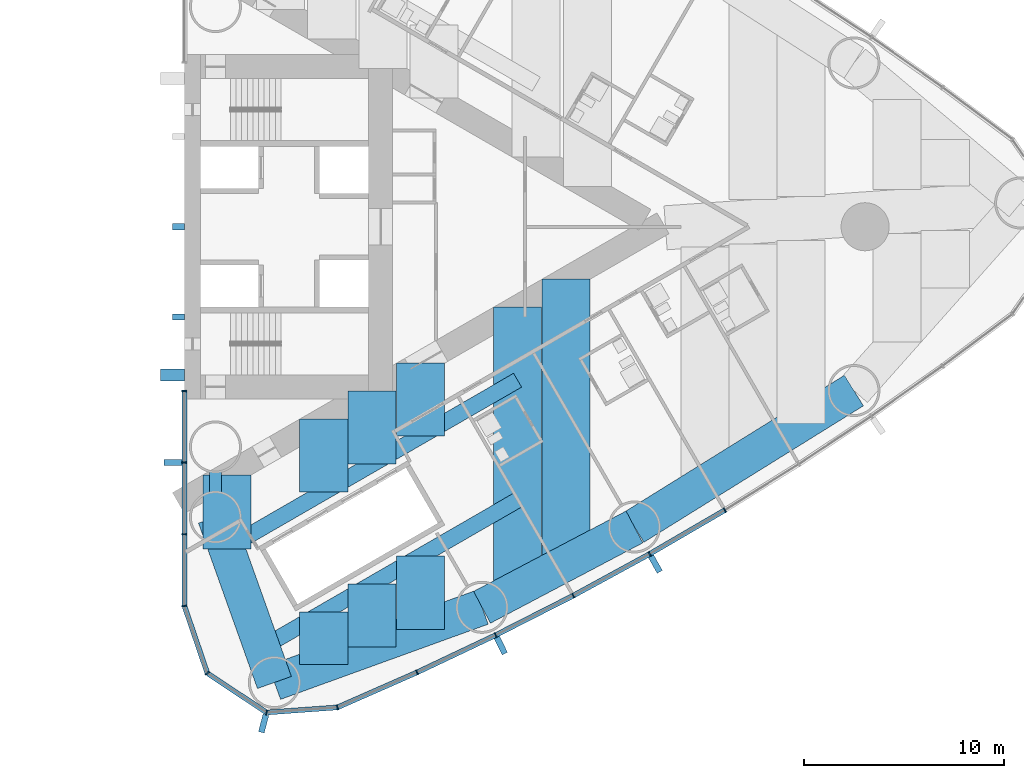
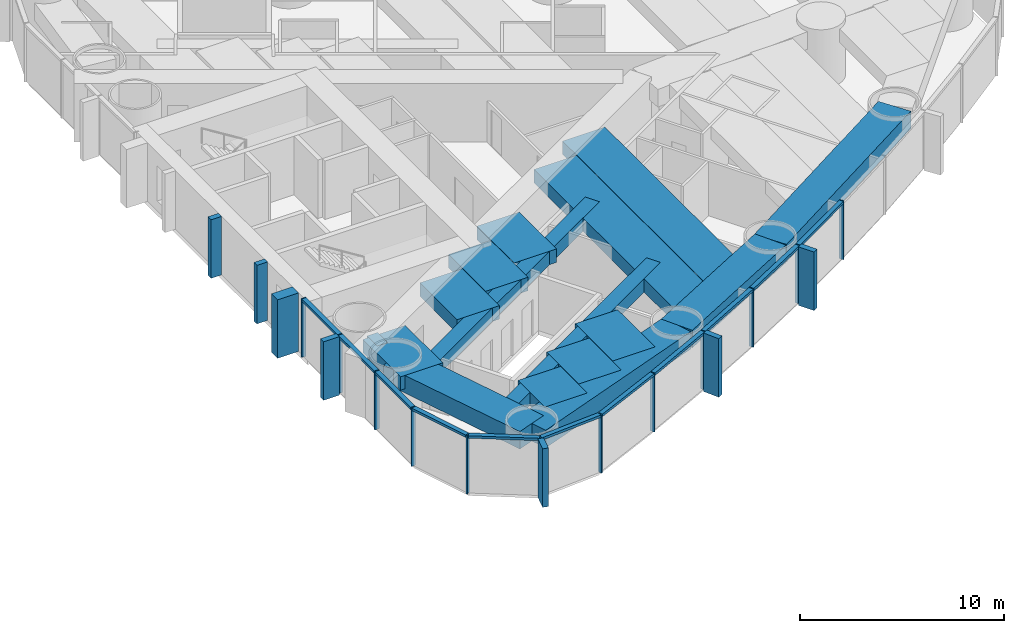
# One storey, part 6 of 18: 30 members, 16 beams, 1 element without a shape of its own.
"""IFC4 building model written with IfcOpenShell, lengths in metres."""

from ifc_helpers import new_model, si_unit, direction, frame, origin, origin_2d, place, context, subcontext, project, spatial, rectangle, hollow_rectangle, extrude, material, material_profile, profile_set, type_object, element, aggregate, save


model = new_model("IFC4")

# Units and contexts
model_context = context("Model", 3, precision=1e-05, world=origin(), true_north=direction((0.0, 1.0)))
body_context = subcontext(model_context, "Body", "Model", "MODEL_VIEW")
ifc_project = project(units=[si_unit("LENGTHUNIT", "METRE"), si_unit("AREAUNIT", "SQUARE_METRE"), si_unit("VOLUMEUNIT", "CUBIC_METRE"), si_unit("PLANEANGLEUNIT", "RADIAN"), si_unit("MASSUNIT", "GRAM", prefix="KILO")], contexts=[model_context])

# Site, building, storey
site_placement = place(None, origin())
site = spatial("IfcSite", under=ifc_project, at=site_placement, CompositionType="ELEMENT")
building_placement = place(site_placement, origin())
building = spatial("IfcBuilding", under=site, at=building_placement, Name="Lancet Gate Hotel", CompositionType="ELEMENT")
storey_placement = place(building_placement, frame((0.0, 0.0, 97.60009765625)))
storey = spatial("IfcBuildingStorey", under=building, at=storey_placement, Name="L25", CompositionType="ELEMENT", Elevation=97.60009765625)

# Curtain wall, members
ifc_material_1 = material(Name="Aluminium curtain wall", Category="aluminium")
curtain_wall_type = type_object("IfcCurtainWallType", Name="Tower unitised curtain wall", PredefinedType="USERDEFINED", material=ifc_material_1)
curtain_wall_placement = place(storey_placement, origin())
curtain_wall = element("IfcCurtainWall", 1, at=curtain_wall_placement, inside=storey, type_object=curtain_wall_type, Name="T2 L25 curtain wall 1", ObjectType="UNITISED CURTAIN WALL", PredefinedType="USERDEFINED")
ifc_material_2 = material(Name="Aluminium mullion", Category="aluminium")
ifc_material_profile_1 = material_profile(ifc_material_2, rectangle(XDim=0.06494140625, YDim=0.25, at=origin_2d()), Name="MULLION 65x250")
ifc_profile_set_1 = profile_set([ifc_material_profile_1], Name="Aluminium mullion")
member_type_1 = type_object("IfcMemberType", Name="Aluminium mullion 65x250", PredefinedType="MULLION", material=ifc_profile_set_1)
member_1_placement = place(storey_placement, frame((27.5, -8.199951171875, 0.0), z_axis=(0.0, 0.0, 1.0), x_axis=(0.0, -1.0, 0.0)))
member_1 = element("IfcMember", 2, at=member_1_placement, type_object=member_type_1, Name="T2 L25 curtain wall 1 mullion 1", PredefinedType="MULLION", context=body_context, shape_type="SweptSolid", body=[
    extrude(rectangle(XDim=0.06494140625, YDim=0.25, at=origin_2d()), origin(), (0.0, 0.0, 1.0), 3.5),
])
member_2_placement = place(storey_placement, frame((27.5, -11.781005859375, 0.0), z_axis=(0.0, 0.0, 1.0), x_axis=(0.0, -1.0, 0.0)))
member_2 = element("IfcMember", 3, at=member_2_placement, type_object=member_type_1, Name="T2 L25 curtain wall 1 mullion 2", PredefinedType="MULLION", context=body_context, shape_type="SweptSolid", body=[
    extrude(rectangle(XDim=0.06494140625, YDim=0.25, at=origin_2d()), origin(), (0.0, 0.0, 1.0), 3.5),
])
member_3_placement = place(storey_placement, frame((27.5, -15.362060546875, 0.0), z_axis=(0.0, 0.0, 1.0), x_axis=(0.0, -1.0, 0.0)))
member_3 = element("IfcMember", 4, at=member_3_placement, type_object=member_type_1, Name="T2 L25 curtain wall 1 mullion 3", PredefinedType="MULLION", context=body_context, shape_type="SweptSolid", body=[
    extrude(rectangle(XDim=0.06494140625, YDim=0.25, at=origin_2d()), origin(), (0.0, 0.0, 1.0), 3.5),
])
member_4_placement = place(storey_placement, frame((27.5, -18.94287109375, 0.0), z_axis=(0.0, 0.0, 1.0), x_axis=(0.162738742557, -0.986669195663, 0.0)))
member_4 = element("IfcMember", 5, at=member_4_placement, type_object=member_type_1, Name="T2 L25 curtain wall 1 mullion 4", PredefinedType="MULLION", context=body_context, shape_type="SweptSolid", body=[
    extrude(rectangle(XDim=0.06494140625, YDim=0.25, at=origin_2d()), origin(), (0.0, 0.0, 1.0), 3.5),
])
member_5_placement = place(storey_placement, frame((28.64453125, -22.301513671875, 0.0), z_axis=(0.0, 0.0, 1.0), x_axis=(0.610663954798, -0.79188984986, 0.0)))
member_5 = element("IfcMember", 6, at=member_5_placement, type_object=member_type_1, Name="T2 L25 curtain wall 1 mullion 5", PredefinedType="MULLION", context=body_context, shape_type="SweptSolid", body=[
    extrude(rectangle(XDim=0.06494140625, YDim=0.25, at=origin_2d()), origin(), (0.0, 0.0, 1.0), 3.5),
])
member_6_placement = place(storey_placement, frame((31.60205078125, -24.26220703125, 0.0), z_axis=(0.0, 0.0, 1.0), x_axis=(0.967157174963, -0.254179068604, 0.0)))
member_6 = element("IfcMember", 7, at=member_6_placement, type_object=member_type_1, Name="T2 L25 curtain wall 1 mullion 6", PredefinedType="MULLION", context=body_context, shape_type="SweptSolid", body=[
    extrude(rectangle(XDim=0.06494140625, YDim=0.25, at=origin_2d()), origin(), (0.0, 0.0, 1.0), 3.5),
])
member_7_placement = place(storey_placement, frame((35.141357421875, -24.009033203125, 0.0), z_axis=(0.0, 0.0, 1.0), x_axis=(0.966317378791, 0.257353304711, 0.0)))
member_7 = element("IfcMember", 8, at=member_7_placement, type_object=member_type_1, Name="T2 L25 curtain wall 1 mullion 7", PredefinedType="MULLION", context=body_context, shape_type="SweptSolid", body=[
    extrude(rectangle(XDim=0.06494140625, YDim=0.25, at=origin_2d()), origin(), (0.0, 0.0, 1.0), 3.5),
])
member_8_placement = place(storey_placement, frame((39.12109375, -22.259765625, 0.0), z_axis=(0.0, 0.0, 1.0), x_axis=(0.909672766767, 0.415325724465, 0.0)))
member_8 = element("IfcMember", 9, at=member_8_placement, type_object=member_type_1, Name="T2 L25 curtain wall 1 mullion 8", PredefinedType="MULLION", context=body_context, shape_type="SweptSolid", body=[
    extrude(rectangle(XDim=0.06494140625, YDim=0.25, at=origin_2d()), origin(), (0.0, 0.0, 1.0), 3.5),
])
member_9_placement = place(storey_placement, frame((43.0498046875, -20.398193359375, 0.0), z_axis=(0.0, 0.0, 1.0), x_axis=(0.897511886496, 0.440990264743, 0.0)))
member_9 = element("IfcMember", 10, at=member_9_placement, type_object=member_type_1, Name="T2 L25 curtain wall 1 mullion 9", PredefinedType="MULLION", context=body_context, shape_type="SweptSolid", body=[
    extrude(rectangle(XDim=0.06494140625, YDim=0.25, at=origin_2d()), origin(), (0.0, 0.0, 1.0), 3.5),
])
member_10_placement = place(storey_placement, frame((46.923828125, -18.426025390625, 0.0), z_axis=(0.0, 0.0, 1.0), x_axis=(0.884627112962, 0.466299121822, 0.0)))
member_10 = element("IfcMember", 11, at=member_10_placement, type_object=member_type_1, Name="T2 L25 curtain wall 1 mullion 10", PredefinedType="MULLION", context=body_context, shape_type="SweptSolid", body=[
    extrude(rectangle(XDim=0.06494140625, YDim=0.25, at=origin_2d()), origin(), (0.0, 0.0, 1.0), 3.5),
])
member_11_placement = place(storey_placement, frame((50.740478515625, -16.344482421875, 0.0), z_axis=(0.0, 0.0, 1.0), x_axis=(0.871028838445, 0.491231882716, 0.0)))
member_11 = element("IfcMember", 12, at=member_11_placement, type_object=member_type_1, Name="T2 L25 curtain wall 1 mullion 11", PredefinedType="MULLION", context=body_context, shape_type="SweptSolid", body=[
    extrude(rectangle(XDim=0.06494140625, YDim=0.25, at=origin_2d()), origin(), (0.0, 0.0, 1.0), 3.5),
])
member_12_placement = place(storey_placement, frame((54.496337890625, -14.1552734375, 0.0), z_axis=(0.0, 0.0, 1.0), x_axis=(0.856728030701, 0.515768437781, 0.0)))
member_12 = element("IfcMember", 13, at=member_12_placement, type_object=member_type_1, Name="T2 L25 curtain wall 1 mullion 12", PredefinedType="MULLION", context=body_context, shape_type="SweptSolid", body=[
    extrude(rectangle(XDim=0.06494140625, YDim=0.25, at=origin_2d()), origin(), (0.0, 0.0, 1.0), 3.5),
])
ifc_material_3 = material(Name="Aluminium transom", Category="aluminium")
ifc_material_profile_2 = material_profile(ifc_material_3, rectangle(XDim=0.25, YDim=0.14990234375, at=origin_2d()), Name="TRANSOM 250x150")
ifc_profile_set_2 = profile_set([ifc_material_profile_2], Name="Aluminium transom")
member_type_2 = type_object("IfcMemberType", Name="Aluminium transom 250x150", PredefinedType="USERDEFINED", material=ifc_profile_set_2)
member_13_placement = place(storey_placement, frame((27.5, -8.232421875, 3.4248046875), z_axis=(0.0, -1.0, 0.0), x_axis=(1.0, 0.0, 0.0)))
member_13 = element("IfcMember", 14, at=member_13_placement, type_object=member_type_2, Name="T2 L25 curtain wall 1 transom 1", ObjectType="TRANSOM", PredefinedType="USERDEFINED", context=body_context, shape_type="SweptSolid", body=[
    extrude(rectangle(XDim=0.25, YDim=0.14990234375, at=origin_2d()), origin(), (0.0, 0.0, 1.0), 3.51611328125),
])
member_14_placement = place(storey_placement, frame((27.5, -11.8134765625, 3.4248046875), z_axis=(0.0, -1.0, 0.0), x_axis=(1.0, 0.0, 0.0)))
member_14 = element("IfcMember", 15, at=member_14_placement, type_object=member_type_2, Name="T2 L25 curtain wall 1 transom 2", ObjectType="TRANSOM", PredefinedType="USERDEFINED", context=body_context, shape_type="SweptSolid", body=[
    extrude(rectangle(XDim=0.25, YDim=0.14990234375, at=origin_2d()), origin(), (0.0, 0.0, 1.0), 3.515869140625),
])
member_15_placement = place(storey_placement, frame((27.5, -15.39453125, 3.4248046875), z_axis=(0.0, -1.0, 0.0), x_axis=(1.0, 0.0, 0.0)))
member_15 = element("IfcMember", 16, at=member_15_placement, type_object=member_type_2, Name="T2 L25 curtain wall 1 transom 3", ObjectType="TRANSOM", PredefinedType="USERDEFINED", context=body_context, shape_type="SweptSolid", body=[
    extrude(rectangle(XDim=0.25, YDim=0.14990234375, at=origin_2d()), origin(), (0.0, 0.0, 1.0), 3.515869140625),
])
member_16_placement = place(storey_placement, frame((27.510498046875, -18.9736328125, 3.4248046875), z_axis=(0.322549769135, -0.946552505903, 0.0), x_axis=(0.946552505903, 0.322549769135, 0.0)))
member_16 = element("IfcMember", 17, at=member_16_placement, type_object=member_type_2, Name="T2 L25 curtain wall 1 transom 4", ObjectType="TRANSOM", PredefinedType="USERDEFINED", context=body_context, shape_type="SweptSolid", body=[
    extrude(rectangle(XDim=0.25, YDim=0.14990234375, at=origin_2d()), origin(), (0.0, 0.0, 1.0), 3.4833984375),
])
member_17_placement = place(storey_placement, frame((28.671630859375, -22.319580078125, 3.4248046875), z_axis=(0.833470854141, -0.552563421968, 0.0), x_axis=(0.552563421968, 0.833470854141, 0.0)))
member_17 = element("IfcMember", 18, at=member_17_placement, type_object=member_type_2, Name="T2 L25 curtain wall 1 transom 5", ObjectType="TRANSOM", PredefinedType="USERDEFINED", context=body_context, shape_type="SweptSolid", body=[
    extrude(rectangle(XDim=0.25, YDim=0.14990234375, at=origin_2d()), origin(), (0.0, 0.0, 1.0), 3.4833984375),
])
member_18_placement = place(storey_placement, frame((31.634521484375, -24.260009765625, 3.4248046875), z_axis=(0.997446232115, 0.071421383636, 0.0), x_axis=(-0.071421383636, 0.997446232115, 0.0)))
member_18 = element("IfcMember", 19, at=member_18_placement, type_object=member_type_2, Name="T2 L25 curtain wall 1 transom 6", ObjectType="TRANSOM", PredefinedType="USERDEFINED", context=body_context, shape_type="SweptSolid", body=[
    extrude(rectangle(XDim=0.25, YDim=0.14990234375, at=origin_2d()), origin(), (0.0, 0.0, 1.0), 3.483154296875),
])
member_19_placement = place(storey_placement, frame((35.171142578125, -23.995849609375, 3.4248046875), z_axis=(0.915484772266, 0.402352621155, 0.0), x_axis=(-0.402352621155, 0.915484772266, 0.0)))
member_19 = element("IfcMember", 20, at=member_19_placement, type_object=member_type_2, Name="T2 L25 curtain wall 1 transom 7", ObjectType="TRANSOM", PredefinedType="USERDEFINED", context=body_context, shape_type="SweptSolid", body=[
    extrude(rectangle(XDim=0.25, YDim=0.14990234375, at=origin_2d()), origin(), (0.0, 0.0, 1.0), 4.281982421875),
])
member_20_placement = place(storey_placement, frame((39.150634765625, -22.245849609375, 3.4248046875), z_axis=(0.903679787814, 0.428208875546, 0.0), x_axis=(-0.428208875546, 0.903679787814, 0.0)))
member_20 = element("IfcMember", 21, at=member_20_placement, type_object=member_type_2, Name="T2 L25 curtain wall 1 transom 8", ObjectType="TRANSOM", PredefinedType="USERDEFINED", context=body_context, shape_type="SweptSolid", body=[
    extrude(rectangle(XDim=0.25, YDim=0.14990234375, at=origin_2d()), origin(), (0.0, 0.0, 1.0), 4.282470703125),
])
member_21_placement = place(storey_placement, frame((43.07861328125, -20.383544921875, 3.4248046875), z_axis=(0.891165630033, 0.453678101574, 0.0), x_axis=(-0.453678101574, 0.891165630033, 0.0)))
member_21 = element("IfcMember", 22, at=member_21_placement, type_object=member_type_2, Name="T2 L25 curtain wall 1 transom 9", ObjectType="TRANSOM", PredefinedType="USERDEFINED", context=body_context, shape_type="SweptSolid", body=[
    extrude(rectangle(XDim=0.25, YDim=0.14990234375, at=origin_2d()), origin(), (0.0, 0.0, 1.0), 4.282470703125),
])
member_22_placement = place(storey_placement, frame((46.952392578125, -18.410400390625, 3.4248046875), z_axis=(0.877906466435, 0.478832158685, 0.0), x_axis=(-0.478832158685, 0.877906466435, 0.0)))
member_22 = element("IfcMember", 23, at=member_22_placement, type_object=member_type_2, Name="T2 L25 curtain wall 1 transom 10", ObjectType="TRANSOM", PredefinedType="USERDEFINED", context=body_context, shape_type="SweptSolid", body=[
    extrude(rectangle(XDim=0.25, YDim=0.14990234375, at=origin_2d()), origin(), (0.0, 0.0, 1.0), 4.282470703125),
])
member_23_placement = place(storey_placement, frame((50.7685546875, -16.327880859375, 3.4248046875), z_axis=(0.863973212152, 0.503537772847, 0.0), x_axis=(-0.503537772847, 0.863973212152, 0.0)))
member_23 = element("IfcMember", 24, at=member_23_placement, type_object=member_type_2, Name="T2 L25 curtain wall 1 transom 11", ObjectType="TRANSOM", PredefinedType="USERDEFINED", context=body_context, shape_type="SweptSolid", body=[
    extrude(rectangle(XDim=0.25, YDim=0.14990234375, at=origin_2d()), origin(), (0.0, 0.0, 1.0), 4.2822265625),
])

# Beams
ifc_material_4 = material(Name="Concrete C50/60", Category="concrete")
ifc_material_profile_3 = material_profile(ifc_material_4, rectangle(XDim=1.800048828125, YDim=1.050048828125, at=origin_2d()), Name="RC 1800x1050")
ifc_profile_set_3 = profile_set([ifc_material_profile_3], Name="Concrete C50/60")
beam_type_1 = type_object("IfcBeamType", Name="Edge beam RC 1800x1050", PredefinedType="SPANDREL", material=ifc_profile_set_3)
beam_1_placement = place(storey_placement, frame((31.99609375, -22.76318359375, 2.724853515625), z_axis=(0.940225039526, 0.340553777029, 0.0), x_axis=(-0.340553777029, 0.940225039526, 0.0)))
element("IfcBeam", 25, at=beam_1_placement, inside=storey, type_object=beam_type_1, Name="T2 edge beam EB1 L25", PredefinedType="SPANDREL", context=body_context, shape_type="SweptSolid", body=[
    extrude(rectangle(XDim=1.800048828125, YDim=1.050048828125, at=origin_2d()), origin(), (0.0, 0.0, 1.0), 11.029296875),
])
beam_2_placement = place(storey_placement, frame((42.3662109375, -19.007080078125, 2.724853515625), z_axis=(0.884632510133, 0.466288882578, 0.0), x_axis=(-0.466288882578, 0.884632510133, 0.0)))
element("IfcBeam", 26, at=beam_2_placement, inside=storey, type_object=beam_type_1, Name="T2 edge beam EB1 L25", PredefinedType="SPANDREL", context=body_context, shape_type="SweptSolid", body=[
    extrude(rectangle(XDim=1.800048828125, YDim=1.050048828125, at=origin_2d()), origin(), (0.0, 0.0, 1.0), 8.605712890625),
])
beam_3_placement = place(storey_placement, frame((49.97900390625, -14.994384765625, 2.724853515625), z_axis=(0.849312372751, 0.527890607505, 0.0), x_axis=(-0.527890607505, 0.849312372751, 0.0)))
element("IfcBeam", 27, at=beam_3_placement, inside=storey, type_object=beam_type_1, Name="T2 edge beam EB1 L25", PredefinedType="SPANDREL", context=body_context, shape_type="SweptSolid", body=[
    extrude(rectangle(XDim=1.800048828125, YDim=1.050048828125, at=origin_2d()), origin(), (0.0, 0.0, 1.0), 12.906494140625),
])
beam_4_placement = place(storey_placement, frame((31.99609375, -22.76318359375, 2.724853515625), z_axis=(-0.335821559388, 0.941925623523, 0.0), x_axis=(-0.941925623523, -0.335821559388, 0.0)))
element("IfcBeam", 28, at=beam_4_placement, inside=storey, type_object=beam_type_1, Name="T2 edge beam EB1 L25", PredefinedType="SPANDREL", context=body_context, shape_type="SweptSolid", body=[
    extrude(rectangle(XDim=1.800048828125, YDim=1.050048828125, at=origin_2d()), origin(), (0.0, 0.0, 1.0), 8.772705078125),
])

# Member
ifc_material_5 = material(Name="Concrete C60/75", Category="concrete")
ifc_material_profile_4 = material_profile(ifc_material_5, rectangle(XDim=0.60009765625, YDim=1.199951171875, at=origin_2d()), Name="FIN 600x1200")
ifc_profile_set_4 = profile_set([ifc_material_profile_4], Name="Concrete C60/75")
member_type_3 = type_object("IfcMemberType", Name="Exposed concrete buttress pilaster 600x1200", PredefinedType="USERDEFINED", material=ifc_profile_set_4)
member_24_placement = place(storey_placement, frame((26.909912109375, -7.39990234375, 0.0), z_axis=(0.0, 0.0, 1.0), x_axis=(0.0, 1.0, 0.0)))
element("IfcMember", 29, at=member_24_placement, inside=storey, type_object=member_type_3, Name="T2 buttress pilaster S L25", ObjectType="FIN", PredefinedType="USERDEFINED", context=body_context, shape_type="SweptSolid", body=[
    extrude(rectangle(XDim=0.60009765625, YDim=1.199951171875, at=origin_2d()), origin(), (0.0, 0.0, 1.0), 3.5),
])

ifc_material_6 = material(Name="Precast concrete C50/60", Category="concrete")
ifc_material_profile_5 = material_profile(ifc_material_6, rectangle(XDim=0.300048828125, YDim=0.89990234375, at=origin_2d()), Name="FIN 300x900")
ifc_profile_set_5 = profile_set([ifc_material_profile_5], Name="Precast concrete C50/60")
member_type_4 = type_object("IfcMemberType", Name="Exposed concrete fin 300x900", PredefinedType="USERDEFINED", material=ifc_profile_set_5)
member_25_placement = place(storey_placement, frame((26.925048828125, -11.781005859375, 0.0), z_axis=(0.0, 0.0, 1.0), x_axis=(0.0, -1.0, 0.0)))
member_25 = element("IfcMember", 30, at=member_25_placement, type_object=member_type_4, Name="T2 L25 curtain wall 1 fin 2", ObjectType="FIN", PredefinedType="USERDEFINED", context=body_context, shape_type="SweptSolid", body=[
    extrude(rectangle(XDim=0.300048828125, YDim=0.89990234375, at=origin_2d()), origin(), (0.0, 0.0, 1.0), 3.5),
])

member_26_placement = place(storey_placement, frame((31.455810546875, -24.818359375, 0.0), z_axis=(0.0, 0.0, 1.0), x_axis=(0.967157174963, -0.254179068604, 0.0)))
member_26 = element("IfcMember", 31, at=member_26_placement, type_object=member_type_4, Name="T2 L25 curtain wall 1 fin 6", ObjectType="FIN", PredefinedType="USERDEFINED", context=body_context, shape_type="SweptSolid", body=[
    extrude(rectangle(XDim=0.300048828125, YDim=0.89990234375, at=origin_2d()), origin(), (0.0, 0.0, 1.0), 3.5),
])

member_27_placement = place(storey_placement, frame((43.30322265625, -20.914306640625, 0.0), z_axis=(0.0, 0.0, 1.0), x_axis=(0.897511886496, 0.440990264743, 0.0)))
member_27 = element("IfcMember", 32, at=member_27_placement, type_object=member_type_4, Name="T2 L25 curtain wall 1 fin 9", ObjectType="FIN", PredefinedType="USERDEFINED", context=body_context, shape_type="SweptSolid", body=[
    extrude(rectangle(XDim=0.300048828125, YDim=0.89990234375, at=origin_2d()), origin(), (0.0, 0.0, 1.0), 3.5),
])

member_28_placement = place(storey_placement, frame((51.02294921875, -16.84521484375, 0.0), z_axis=(0.0, 0.0, 1.0), x_axis=(0.871028838445, 0.491231882716, 0.0)))
member_28 = element("IfcMember", 33, at=member_28_placement, type_object=member_type_4, Name="T2 L25 curtain wall 1 fin 11", ObjectType="FIN", PredefinedType="USERDEFINED", context=body_context, shape_type="SweptSolid", body=[
    extrude(rectangle(XDim=0.300048828125, YDim=0.89990234375, at=origin_2d()), origin(), (0.0, 0.0, 1.0), 3.5),
])

aggregate(curtain_wall, [member_1, member_2, member_25, member_3, member_4, member_5, member_6, member_26, member_7, member_8, member_9, member_27, member_10, member_11, member_28, member_12, member_13, member_14, member_15, member_16, member_17, member_18, member_19, member_20, member_21, member_22, member_23])

# Members
ifc_material_7 = material(Name="Concrete C60/75", Category="concrete")
ifc_material_profile_6 = material_profile(ifc_material_7, rectangle(XDim=0.300048828125, YDim=0.60009765625, at=origin_2d()), Name="FIN 300x600")
ifc_profile_set_6 = profile_set([ifc_material_profile_6], Name="Concrete C60/75")
member_type_5 = type_object("IfcMemberType", Name="Exposed concrete rib 300x600", PredefinedType="USERDEFINED", material=ifc_profile_set_6)
for number, where, z_axis, x_axis, name in (
    (34, (27.2099609375, -4.5, 0.0), (0.0, 0.0, 1.0), (0.0, 1.0, 0.0), "T2 core rib 1 L25"),
    (35, (27.2099609375, 0.0, 0.0), (0.0, 0.0, 1.0), (0.0, 1.0, 0.0), "T2 core rib 2 L25"),
):
    element("IfcMember", number, at=place(storey_placement, frame(where, z_axis=z_axis, x_axis=x_axis)), inside=storey, type_object=member_type_5, Name=name, ObjectType="FIN", PredefinedType="USERDEFINED", context=body_context, shape_type="SweptSolid", body=[
        extrude(rectangle(XDim=0.300048828125, YDim=0.60009765625, at=origin_2d()), origin(), (0.0, 0.0, 1.0), 3.5),
    ])

# Beams
ifc_material_8 = material(Name="Concrete C50/60", Category="concrete")
ifc_material_profile_7 = material_profile(ifc_material_8, rectangle(XDim=2.39990234375, YDim=0.800048828125, at=origin_2d()), Name="RC 2400x800")
ifc_profile_set_7 = profile_set([ifc_material_profile_7], Name="Concrete C50/60")
beam_type_2 = type_object("IfcBeamType", Name="Floor beam RC 2400x800", PredefinedType="BEAM", material=ifc_profile_set_7)
beam_5_placement = place(storey_placement, frame((29.6201171875, -16.099365234375, 2.849853515625), z_axis=(0.0, 1.0, 0.0), x_axis=(-1.0, 0.0, 0.0)))
element("IfcBeam", 36, at=beam_5_placement, inside=storey, type_object=beam_type_2, Name="T2 floor beam F01S L25", PredefinedType="BEAM", context=body_context, shape_type="SweptSolid", body=[
    extrude(rectangle(XDim=2.39990234375, YDim=0.800048828125, at=origin_2d()), origin(), (0.0, 0.0, 1.0), 3.69677734375),
])
beam_6_placement = place(storey_placement, frame((44.1416015625, -18.0712890625, 2.849853515625), z_axis=(0.0, 1.0, 0.0), x_axis=(-1.0, 0.0, 0.0)))
element("IfcBeam", 37, at=beam_6_placement, inside=storey, type_object=beam_type_2, Name="T2 floor beam F09S L25", PredefinedType="BEAM", context=body_context, shape_type="SweptSolid", body=[
    extrude(rectangle(XDim=2.39990234375, YDim=0.800048828125, at=origin_2d()), origin(), (0.0, 0.0, 1.0), 14.052490234375),
])
beam_7_placement = place(storey_placement, frame((46.561767578125, -16.795654296875, 2.849853515625), z_axis=(0.0, 1.0, 0.0), x_axis=(-1.0, 0.0, 0.0)))
element("IfcBeam", 38, at=beam_7_placement, inside=storey, type_object=beam_type_2, Name="T2 floor beam F11S L25", PredefinedType="BEAM", context=body_context, shape_type="SweptSolid", body=[
    extrude(rectangle(XDim=2.39990234375, YDim=0.800048828125, at=origin_2d()), origin(), (0.0, 0.0, 1.0), 14.17431640625),
])
beam_8_placement = place(storey_placement, frame((34.460693359375, -21.87060546875, 2.849853515625), z_axis=(0.0, 1.0, 0.0), x_axis=(-1.0, 0.0, 0.0)))
element("IfcBeam", 39, at=beam_8_placement, inside=storey, type_object=beam_type_2, Name="T2 floor beam F03SA L25", PredefinedType="BEAM", context=body_context, shape_type="SweptSolid", body=[
    extrude(rectangle(XDim=2.39990234375, YDim=0.800048828125, at=origin_2d()), origin(), (0.0, 0.0, 1.0), 2.62939453125),
])
beam_9_placement = place(storey_placement, frame((34.460693359375, -13.253662109375, 2.849853515625), z_axis=(0.0, 1.0, 0.0), x_axis=(-1.0, 0.0, 0.0)))
element("IfcBeam", 40, at=beam_9_placement, inside=storey, type_object=beam_type_2, Name="T2 floor beam F03SB L25", PredefinedType="BEAM", context=body_context, shape_type="SweptSolid", body=[
    extrude(rectangle(XDim=2.39990234375, YDim=0.800048828125, at=origin_2d()), origin(), (0.0, 0.0, 1.0), 3.645751953125),
])
beam_10_placement = place(storey_placement, frame((36.880859375, -20.993896484375, 2.849853515625), z_axis=(0.0, 1.0, 0.0), x_axis=(-1.0, 0.0, 0.0)))
element("IfcBeam", 41, at=beam_10_placement, inside=storey, type_object=beam_type_2, Name="T2 floor beam F05SA L25", PredefinedType="BEAM", context=body_context, shape_type="SweptSolid", body=[
    extrude(rectangle(XDim=2.39990234375, YDim=0.800048828125, at=origin_2d()), origin(), (0.0, 0.0, 1.0), 3.150146484375),
])
beam_11_placement = place(storey_placement, frame((36.880859375, -11.8564453125, 2.849853515625), z_axis=(0.0, 1.0, 0.0), x_axis=(-1.0, 0.0, 0.0)))
element("IfcBeam", 42, at=beam_11_placement, inside=storey, type_object=beam_type_2, Name="T2 floor beam F05SB L25", PredefinedType="BEAM", context=body_context, shape_type="SweptSolid", body=[
    extrude(rectangle(XDim=2.39990234375, YDim=0.800048828125, at=origin_2d()), origin(), (0.0, 0.0, 1.0), 3.645751953125),
])
beam_12_placement = place(storey_placement, frame((39.301025390625, -20.1171875, 2.849853515625), z_axis=(0.0, 1.0, 0.0), x_axis=(-1.0, 0.0, 0.0)))
element("IfcBeam", 43, at=beam_12_placement, inside=storey, type_object=beam_type_2, Name="T2 floor beam F07SA L25", PredefinedType="BEAM", context=body_context, shape_type="SweptSolid", body=[
    extrude(rectangle(XDim=2.39990234375, YDim=0.800048828125, at=origin_2d()), origin(), (0.0, 0.0, 1.0), 3.670654296875),
])
beam_13_placement = place(storey_placement, frame((39.301025390625, -10.458984375, 2.849853515625), z_axis=(0.0, 1.0, 0.0), x_axis=(-1.0, 0.0, 0.0)))
element("IfcBeam", 44, at=beam_13_placement, inside=storey, type_object=beam_type_2, Name="T2 floor beam F07SB L25", PredefinedType="BEAM", context=body_context, shape_type="SweptSolid", body=[
    extrude(rectangle(XDim=2.39990234375, YDim=0.800048828125, at=origin_2d()), origin(), (0.0, 0.0, 1.0), 3.6455078125),
])
ifc_material_9 = material(Name="Steel S460QL", Category="steel")
ifc_material_profile_8 = material_profile(ifc_material_9, hollow_rectangle(XDim=0.60009765625, YDim=1.5, WallThickness=0.050048828125, at=origin_2d()), Name="BOX 1500x600x50")
ifc_profile_set_8 = profile_set([ifc_material_profile_8], Name="Steel S460QL")
beam_type_3 = type_object("IfcBeamType", Name="Inner-face link beam BOX 1500x600x50", PredefinedType="BEAM", material=ifc_profile_set_8)
beam_14_placement = place(storey_placement, frame((29.050048828125, -13.25, 2.5), z_axis=(0.0, 1.0, 0.0), x_axis=(-1.0, 0.0, 0.0)))
element("IfcBeam", 45, at=beam_14_placement, inside=storey, type_object=beam_type_3, Name="T2 inner-face link beam LK1 L25", PredefinedType="BEAM", context=body_context, shape_type="SweptSolid", body=[
    extrude(hollow_rectangle(XDim=0.60009765625, YDim=1.5, WallThickness=0.050048828125, at=origin_2d()), origin(), (0.0, 0.0, 1.0), 1.0),
])
ifc_material_10 = material(Name="Steel S460QL", Category="steel")
ifc_material_profile_9 = material_profile(ifc_material_10, hollow_rectangle(XDim=0.800048828125, YDim=0.800048828125, WallThickness=0.080078125, at=origin_2d()), Name="BOX 800x800x80")
ifc_profile_set_9 = profile_set([ifc_material_profile_9], Name="Steel S460QL")
beam_type_4 = type_object("IfcBeamType", Name="Trimmer beam BOX 800x800x80", PredefinedType="BEAM", material=ifc_profile_set_9)
beam_15_placement = place(storey_placement, frame((29.6201171875, -16.048095703125, 2.849853515625), z_axis=(0.866036714307, 0.499980409089, 0.0), x_axis=(-0.499980409089, 0.866036714307, 0.0)))
element("IfcBeam", 46, at=beam_15_placement, inside=storey, type_object=beam_type_4, Name="T2 trimmer beam TR01S L25", PredefinedType="BEAM", context=body_context, shape_type="SweptSolid", body=[
    extrude(hollow_rectangle(XDim=0.800048828125, YDim=0.800048828125, WallThickness=0.080078125, at=origin_2d()), origin(), (0.0, 0.0, 1.0), 16.767822265625),
])
beam_16_placement = place(storey_placement, frame((31.375244140625, -21.0224609375, 2.849853515625), z_axis=(0.86603417384, 0.49998480951, 0.0), x_axis=(-0.49998480951, 0.86603417384, 0.0)))
element("IfcBeam", 47, at=beam_16_placement, inside=storey, type_object=beam_type_4, Name="T2 trimmer beam TR02S L25", PredefinedType="BEAM", context=body_context, shape_type="SweptSolid", body=[
    extrude(hollow_rectangle(XDim=0.800048828125, YDim=0.800048828125, WallThickness=0.080078125, at=origin_2d()), origin(), (0.0, 0.0, 1.0), 14.7412109375),
])

save(model, "model.ifc")
